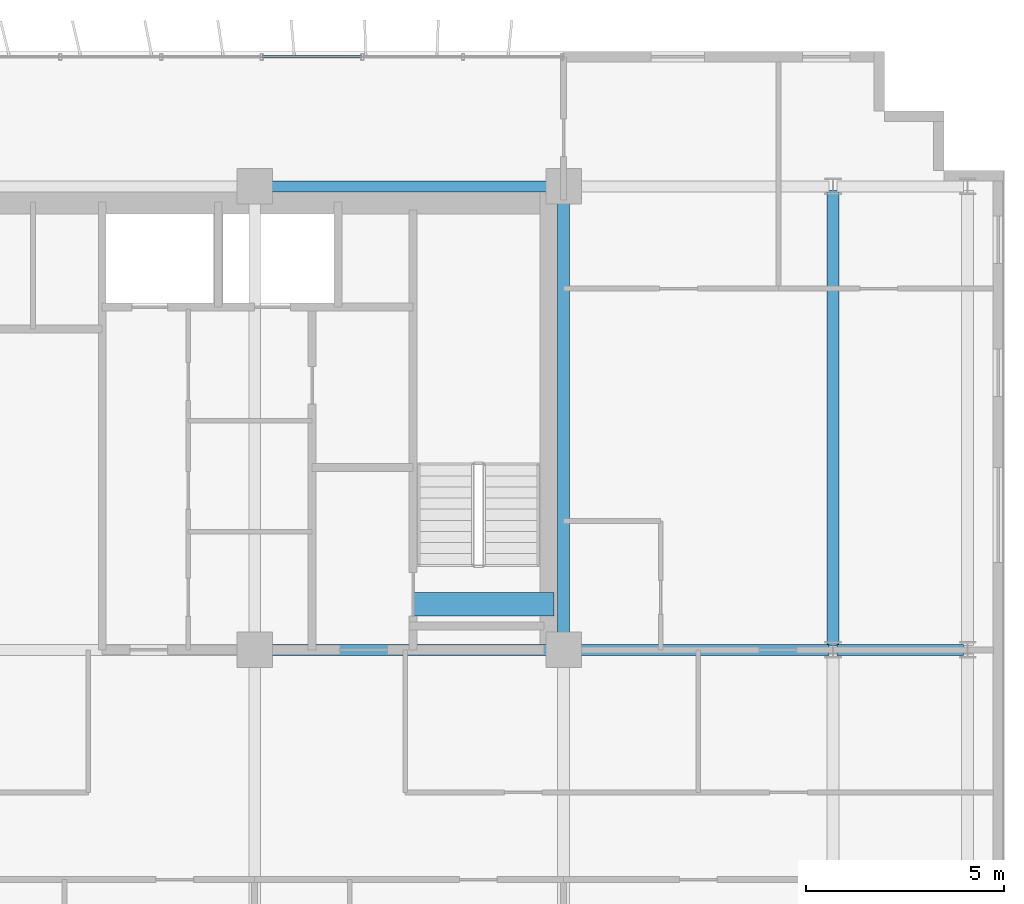
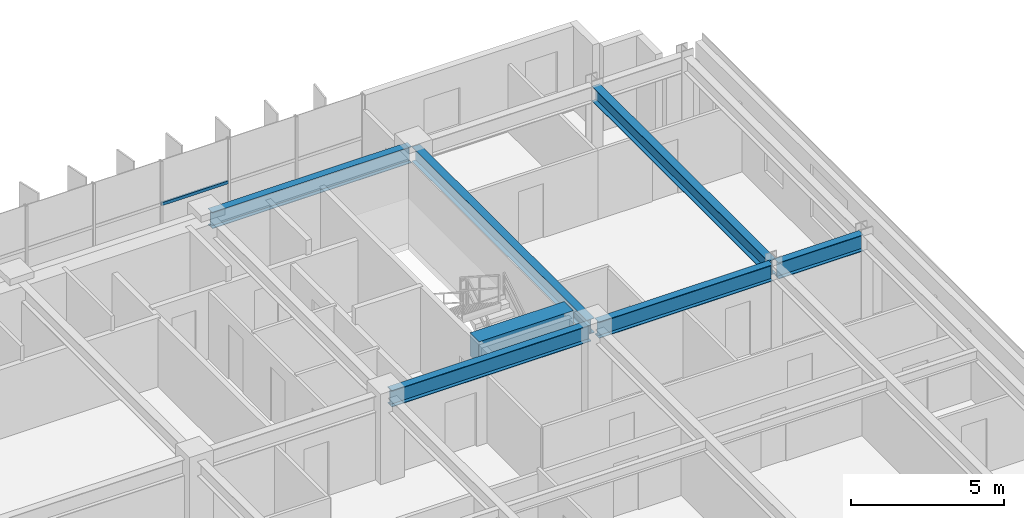
# One storey, part 11 of 24: 7 beams, 1 member, 1 element without a shape of its own.
"""IFC4 building model written with IfcOpenShell, lengths in metres."""

from ifc_helpers import new_model, si_unit, direction, frame, origin, origin_2d, place, context, subcontext, project, spatial, rectangle, hollow_rectangle, i_section, extrude, source, transform, mapped, material, material_profile, profile_set, type_object, element, aggregate, save


model = new_model("IFC4")

# Units and contexts
model_context = context("Model", 3, precision=1e-05, world=origin(), true_north=direction((0.0, 1.0)))
body_context = subcontext(model_context, "Body", "Model", "MODEL_VIEW")
ifc_project = project(units=[si_unit("LENGTHUNIT", "METRE"), si_unit("AREAUNIT", "SQUARE_METRE"), si_unit("VOLUMEUNIT", "CUBIC_METRE"), si_unit("PLANEANGLEUNIT", "RADIAN"), si_unit("MASSUNIT", "GRAM", prefix="KILO")], contexts=[model_context])

# Site, building, storey
site_placement = place(None, origin())
site = spatial("IfcSite", under=ifc_project, at=site_placement, CompositionType="ELEMENT")
building_placement = place(site_placement, origin())
building = spatial("IfcBuilding", under=site, at=building_placement, Name="Trelvane Seafront Commons", CompositionType="ELEMENT")
storey_placement = place(building_placement, frame((0.0, 0.0, 30.699951171875)))
storey = spatial("IfcBuildingStorey", under=building, at=storey_placement, Name="L07", CompositionType="ELEMENT", Elevation=30.699951171875)

# Beams
ifc_material_1 = material(Name="Concrete C60/75", Category="concrete")
ifc_material_profile_1 = material_profile(ifc_material_1, rectangle(XDim=0.60009765625, YDim=0.89990234375, at=origin_2d()), Name="RC-600x900")
ifc_profile_set_1 = profile_set([ifc_material_profile_1], Name="Concrete C60/75")
beam_type_1 = type_object("IfcBeamType", Name="STR-LNT-RC600x900", PredefinedType="LINTEL", material=ifc_profile_set_1)
shared_shape_1 = source(origin(), body_context, "Body", "SweptSolid", [
    extrude(rectangle(XDim=0.60009765625, YDim=0.89990234375, at=origin_2d()), origin(), (0.0, 0.0, 1.0), 3.550048828125),
])
beam_1_placement = place(storey_placement, frame((55.0, 34.550048828125, 2.89013671875), z_axis=(1.0, 0.0, 0.0), x_axis=(0.0, 1.0, 0.0)))
element("IfcBeam", 1, at=beam_1_placement, inside=storey, type_object=beam_type_1, Name="L07 Core Coupling Lintel Beam CB-86", PredefinedType="LINTEL", context=body_context, shape_type="MappedRepresentation", body=[
    mapped(shared_shape_1, transform((0.0, 0.0, 0.0), x_axis=(1.0, 0.0, 0.0), y_axis=(0.0, 1.0, 0.0), z_axis=(0.0, 0.0, 1.0), scale=1.0)),
])
ifc_material_2 = material(Name="Steel SM355 (S355)", Category="steel")
ifc_material_profile_2 = material_profile(ifc_material_2, i_section(OverallWidth=0.280029296875, OverallDepth=0.64990234375, WebThickness=0.012939453125, FlangeThickness=0.02197265625, at=origin_2d()), Name="H-650x280x13x22")
ifc_profile_set_2 = profile_set([ifc_material_profile_2], Name="Steel SM355 (S355)")
beam_type_2 = type_object("IfcBeamType", Name="STR-BM-H650", PredefinedType="BEAM", material=ifc_profile_set_2)
shared_shape_2 = source(origin(), body_context, "Body", "SweptSolid", [
    extrude(i_section(OverallWidth=0.280029296875, OverallDepth=0.64990234375, WebThickness=0.012939453125, FlangeThickness=0.02197265625, at=origin_2d()), origin(), (0.0, 0.0, 1.0), 3.18994140625),
])
beam_2_placement = place(storey_placement, frame((65.705078125, 33.39990234375, 3.01513671875), z_axis=(1.0, 0.0, 0.0), x_axis=(0.0, 1.0, 0.0)))
element("IfcBeam", 2, at=beam_2_placement, inside=storey, type_object=beam_type_2, Name="L07 Primary Girder G-27", PredefinedType="BEAM", context=body_context, shape_type="MappedRepresentation", body=[
    mapped(shared_shape_2, transform((0.0, 0.0, 0.0), x_axis=(1.0, 0.0, 0.0), y_axis=(0.0, 1.0, 0.0), z_axis=(0.0, 0.0, 1.0), scale=1.0)),
])
shared_shape_3 = source(origin(), body_context, "Body", "SweptSolid", [
    extrude(i_section(OverallWidth=0.280029296875, OverallDepth=0.64990234375, WebThickness=0.012939453125, FlangeThickness=0.02197265625, at=origin_2d()), origin(), (0.0, 0.0, 1.0), 6.545166015625),
])
beam_3_placement = place(storey_placement, frame((58.949951171875, 33.39990234375, 3.01513671875), z_axis=(1.0, 0.0, 0.0), x_axis=(0.0, 1.0, 0.0)))
element("IfcBeam", 3, at=beam_3_placement, inside=storey, type_object=beam_type_2, Name="L07 Primary Girder G-26", PredefinedType="BEAM", context=body_context, shape_type="MappedRepresentation", body=[
    mapped(shared_shape_3, transform((0.0, 0.0, 0.0), x_axis=(1.0, 0.0, 0.0), y_axis=(0.0, 1.0, 0.0), z_axis=(0.0, 0.0, 1.0), scale=1.0)),
])
shared_shape_4 = source(origin(), body_context, "Body", "SweptSolid", [
    extrude(i_section(OverallWidth=0.280029296875, OverallDepth=0.64990234375, WebThickness=0.012939453125, FlangeThickness=0.02197265625, at=origin_2d()), origin(), (0.0, 0.0, 1.0), 7.5),
])
for number, where, z_axis, x_axis, name in (
    (4, (51.14990234375, 33.39990234375, 3.01513671875), (1.0, 0.0, 0.0), (0.0, 1.0, 0.0), "L07 Primary Girder G-25"),
    (5, (51.14990234375, 45.10009765625, 3.01513671875), (1.0, 0.0, 0.0), (0.0, 1.0, 0.0), "L07 Primary Girder G-34"),
):
    element("IfcBeam", number, at=place(storey_placement, frame(where, z_axis=z_axis, x_axis=x_axis)), inside=storey, type_object=beam_type_2, Name=name, PredefinedType="BEAM", context=body_context, shape_type="MappedRepresentation", body=[
        mapped(shared_shape_4, transform((0.0, 0.0, 0.0), x_axis=(1.0, 0.0, 0.0), y_axis=(0.0, 1.0, 0.0), z_axis=(0.0, 0.0, 1.0), scale=1.0)),
    ])
ifc_material_profile_3 = material_profile(ifc_material_2, i_section(OverallWidth=0.300048828125, OverallDepth=0.587890625, WebThickness=0.011962890625, FlangeThickness=0.02001953125, at=origin_2d()), Name="H-588x300x12x20")
ifc_profile_set_3 = profile_set([ifc_material_profile_3], Name="Steel SM355 (S355)")
beam_type_3 = type_object("IfcBeamType", Name="STR-BM-H588", PredefinedType="BEAM", material=ifc_profile_set_3)
shared_shape_5 = source(origin(), body_context, "Body", "SweptSolid", [
    extrude(i_section(OverallWidth=0.300048828125, OverallDepth=0.587890625, WebThickness=0.011962890625, FlangeThickness=0.02001953125, at=origin_2d()), origin(), (0.0, 0.0, 1.0), 11.490234375),
])
beam_4_placement = place(storey_placement, frame((65.60009765625, 33.5048828125, 3.046142578125), z_axis=(0.0, 1.0, 0.0), x_axis=(-1.0, 0.0, 0.0)))
element("IfcBeam", 6, at=beam_4_placement, inside=storey, type_object=beam_type_3, Name="L07 Primary Girder G-63", PredefinedType="BEAM", context=body_context, shape_type="MappedRepresentation", body=[
    mapped(shared_shape_5, transform((0.0, 0.0, 0.0), x_axis=(1.0, 0.0, 0.0), y_axis=(0.0, 1.0, 0.0), z_axis=(0.0, 0.0, 1.0), scale=1.0)),
])
shared_shape_6 = source(origin(), body_context, "Body", "SweptSolid", [
    extrude(i_section(OverallWidth=0.300048828125, OverallDepth=0.587890625, WebThickness=0.011962890625, FlangeThickness=0.02001953125, at=origin_2d()), origin(), (0.0, 0.0, 1.0), 11.39990234375),
])
beam_5_placement = place(storey_placement, frame((58.800048828125, 33.550048828125, 3.046142578125), z_axis=(0.0, 1.0, 0.0), x_axis=(-1.0, 0.0, 0.0)))
element("IfcBeam", 7, at=beam_5_placement, inside=storey, type_object=beam_type_3, Name="L07 Primary Girder G-60", PredefinedType="BEAM", context=body_context, shape_type="MappedRepresentation", body=[
    mapped(shared_shape_6, transform((0.0, 0.0, 0.0), x_axis=(1.0, 0.0, 0.0), y_axis=(0.0, 1.0, 0.0), z_axis=(0.0, 0.0, 1.0), scale=1.0)),
])

# Curtain wall, member
ifc_material_3 = material(Name="Anodised pale-silver aluminium", Category="aluminium")
curtain_wall_type = type_object("IfcCurtainWallType", Name="ARCH-CW2-LOWTOWER", PredefinedType="NOTDEFINED", material=ifc_material_3)
curtain_wall_placement = place(storey_placement, origin())
curtain_wall = element("IfcCurtainWall", 8, at=curtain_wall_placement, inside=storey, type_object=curtain_wall_type, Name="CW-L07-0031", PredefinedType="NOTDEFINED")
ifc_material_profile_4 = material_profile(ifc_material_3, hollow_rectangle(XDim=0.070068359375, YDim=0.1201171875, WallThickness=0.00390625, at=origin_2d()), Name="TRAN-70x120x4")
ifc_profile_set_4 = profile_set([ifc_material_profile_4], Name="Anodised pale-silver aluminium")
member_type = type_object("IfcMemberType", Name="ARCH-CW-TRAN-120", PredefinedType="USERDEFINED", material=ifc_profile_set_4)
shared_shape_7 = source(origin(), body_context, "Body", "SweptSolid", [
    extrude(hollow_rectangle(XDim=0.070068359375, YDim=0.1201171875, WallThickness=0.00390625, at=origin_2d()), origin(), (0.0, 0.0, 1.0), 2.51708984375),
])
member_placement = place(storey_placement, frame((51.1884765625, 48.3701171875, 1.60302734375), z_axis=(1.0, 0.0, 0.0), x_axis=(0.0, 1.0, 0.0)))
member = element("IfcMember", 9, at=member_placement, type_object=member_type, Name="CW-L07-0031-T14", ObjectType="TRANSOM", PredefinedType="USERDEFINED", context=body_context, shape_type="MappedRepresentation", body=[
    mapped(shared_shape_7, transform((0.0, 0.0, 0.0), x_axis=(1.0, 0.0, 0.0), y_axis=(0.0, 1.0, 0.0), z_axis=(0.0, 0.0, 1.0), scale=1.0)),
])
aggregate(curtain_wall, [member])

save(model, "model.ifc")
